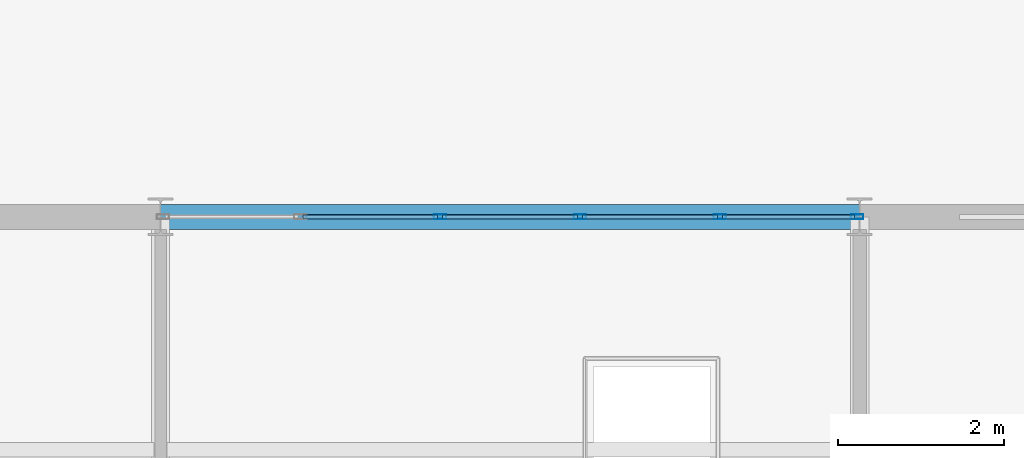
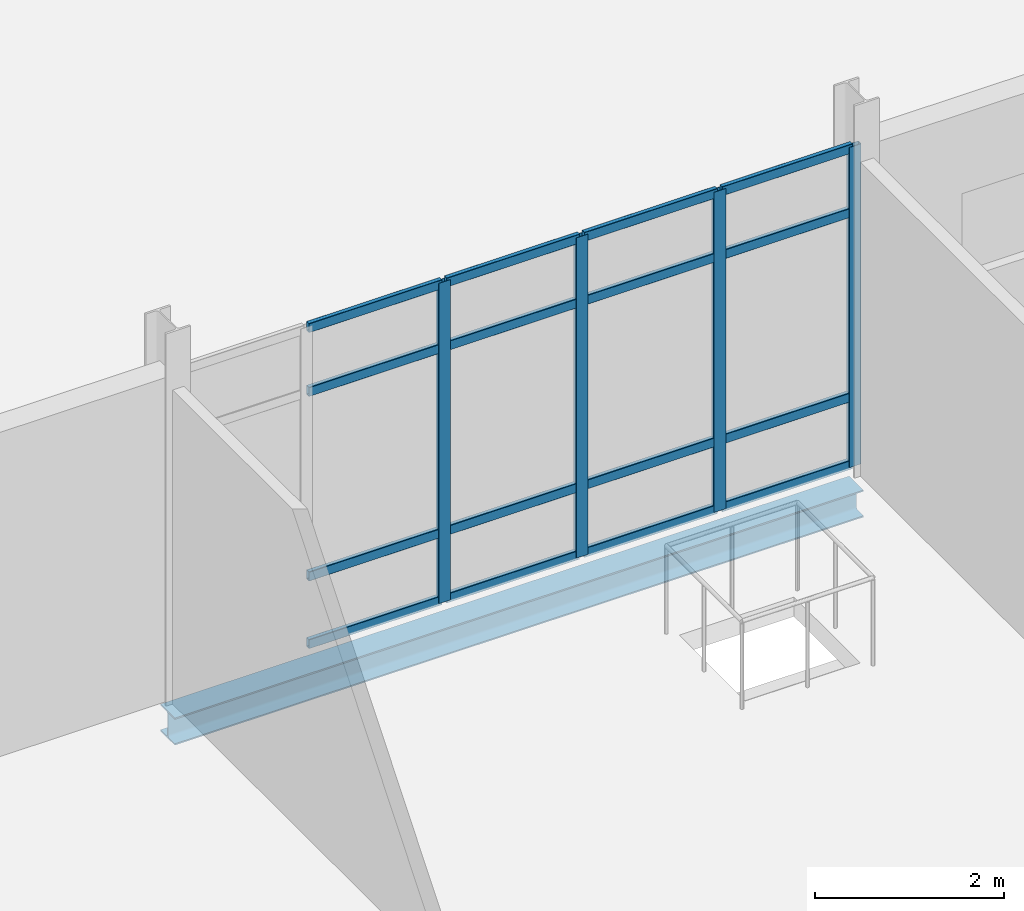
# One storey, part 99 of 145: 20 members, 1 beam, 1 element without a shape of its own.
"""IFC4 building model written with IfcOpenShell, lengths in metres."""

from ifc_helpers import new_model, si_unit, direction, frame, origin, origin_2d, place, context, subcontext, project, spatial, hollow_rectangle, i_section, extrude, material, layer, layer_set, material_profile, profile_set, type_object, element, aggregate, save


model = new_model("IFC4")

# Units and contexts
model_context = context("Model", 3, precision=1e-05, world=origin(), true_north=direction((0.0, 1.0)))
body_context = subcontext(model_context, "Body", "Model", "MODEL_VIEW")
ifc_project = project(units=[si_unit("LENGTHUNIT", "METRE"), si_unit("AREAUNIT", "SQUARE_METRE"), si_unit("VOLUMEUNIT", "CUBIC_METRE"), si_unit("PLANEANGLEUNIT", "RADIAN"), si_unit("MASSUNIT", "GRAM", prefix="KILO")], contexts=[model_context])

# Site, building, storey
site_placement = place(None, origin())
site = spatial("IfcSite", under=ifc_project, at=site_placement, CompositionType="ELEMENT")
building_placement = place(site_placement, origin())
building = spatial("IfcBuilding", under=site, at=building_placement, Name="Qalvenar Corner Mobility Hub", CompositionType="ELEMENT")
storey_placement = place(building_placement, origin())
storey = spatial("IfcBuildingStorey", under=building, at=storey_placement, Name="L00", CompositionType="ELEMENT", Elevation=0.0)

# Beam
ifc_material_1 = material(Name="Steel S355", Category="steel")
ifc_material_profile_1 = material_profile(ifc_material_1, i_section(OverallWidth=0.300048828125, OverallDepth=0.35009765625, WebThickness=0.010009765625, FlangeThickness=0.017578125, FilletRadius=0.027099609375, at=origin_2d()), Name="HEA360")
ifc_profile_set_1 = profile_set([ifc_material_profile_1], Name="Steel S355")
beam_type = type_object("IfcBeamType", Name="BM-SPN360", PredefinedType="SPANDREL", material=ifc_profile_set_1)
beam_placement = place(storey_placement, frame((126.0, 50.39990234375, -0.425048828125), z_axis=(1.0, 0.0, 0.0), x_axis=(0.0, 1.0, 0.0)))
element("IfcBeam", 1, at=beam_placement, inside=storey, type_object=beam_type, Name="Primary Steel Girder GX-0292", PredefinedType="SPANDREL", context=body_context, shape_type="SweptSolid", body=[
    extrude(i_section(OverallWidth=0.300048828125, OverallDepth=0.35009765625, WebThickness=0.010009765625, FlangeThickness=0.017578125, FilletRadius=0.027099609375, at=origin_2d()), origin(), (0.0, 0.0, 1.0), 8.39990234375),
])

# Curtain wall, members
ifc_material_2 = material(Name="Anodised Aluminium and Low-E Glazing", Category="aluminium")
ifc_layer = layer(ifc_material_2, 0.14990234375)
ifc_layer_set = layer_set([ifc_layer], Name="Anodised Aluminium and Low-E Glazing")
curtain_wall_type = type_object("IfcCurtainWallType", Name="CW-WKS-84X44", PredefinedType="NOTDEFINED", material=ifc_layer_set)
curtain_wall_placement = place(storey_placement, origin())
curtain_wall = element("IfcCurtainWall", 2, at=curtain_wall_placement, inside=storey, type_object=curtain_wall_type, Name="Glazed Curtain Wall CW-V6-L00-N2", PredefinedType="NOTDEFINED")
ifc_material_3 = material(Name="Anodised Aluminium 6063-T6", Category="aluminium")
ifc_material_profile_2 = material_profile(ifc_material_3, hollow_rectangle(XDim=0.06005859375, YDim=0.14990234375, WallThickness=0.00390625, InnerFilletRadius=0.00390625, OuterFilletRadius=0.008056640625, at=origin_2d()), Name="RHS150x60x4")
ifc_profile_set_2 = profile_set([ifc_material_profile_2], Name="Anodised Aluminium 6063-T6")
member_type_1 = type_object("IfcMemberType", Name="CW-MUL150", PredefinedType="MULLION", material=ifc_profile_set_2)
member_1_placement = place(storey_placement, frame((134.3701171875, 50.39990234375, 0.0), z_axis=(0.0, 0.0, 1.0), x_axis=(0.0, -1.0, 0.0)))
member_1 = element("IfcMember", 3, at=member_1_placement, type_object=member_type_1, Name="CW-09 mullion 1", PredefinedType="MULLION", context=body_context, shape_type="SweptSolid", body=[
    extrude(hollow_rectangle(XDim=0.06005859375, YDim=0.14990234375, WallThickness=0.00390625, InnerFilletRadius=0.00390625, OuterFilletRadius=0.008056640625, at=origin_2d()), origin(), (0.0, 0.0, 1.0), 4.1298828125),
])
member_2_placement = place(storey_placement, frame((132.719970703125, 50.39990234375, 0.0), z_axis=(0.0, 0.0, 1.0), x_axis=(0.0, -1.0, 0.0)))
member_2 = element("IfcMember", 4, at=member_2_placement, type_object=member_type_1, Name="CW-09 mullion 2", PredefinedType="MULLION", context=body_context, shape_type="SweptSolid", body=[
    extrude(hollow_rectangle(XDim=0.06005859375, YDim=0.14990234375, WallThickness=0.00390625, InnerFilletRadius=0.00390625, OuterFilletRadius=0.008056640625, at=origin_2d()), origin(), (0.0, 0.0, 1.0), 4.1298828125),
])
member_3_placement = place(storey_placement, frame((131.0400390625, 50.39990234375, 0.0), z_axis=(0.0, 0.0, 1.0), x_axis=(0.0, -1.0, 0.0)))
member_3 = element("IfcMember", 5, at=member_3_placement, type_object=member_type_1, Name="CW-09 mullion 3", PredefinedType="MULLION", context=body_context, shape_type="SweptSolid", body=[
    extrude(hollow_rectangle(XDim=0.06005859375, YDim=0.14990234375, WallThickness=0.00390625, InnerFilletRadius=0.00390625, OuterFilletRadius=0.008056640625, at=origin_2d()), origin(), (0.0, 0.0, 1.0), 4.1298828125),
])
member_4_placement = place(storey_placement, frame((129.360107421875, 50.39990234375, 0.0), z_axis=(0.0, 0.0, 1.0), x_axis=(0.0, -1.0, 0.0)))
member_4 = element("IfcMember", 6, at=member_4_placement, type_object=member_type_1, Name="CW-09 mullion 4", PredefinedType="MULLION", context=body_context, shape_type="SweptSolid", body=[
    extrude(hollow_rectangle(XDim=0.06005859375, YDim=0.14990234375, WallThickness=0.00390625, InnerFilletRadius=0.00390625, OuterFilletRadius=0.008056640625, at=origin_2d()), origin(), (0.0, 0.0, 1.0), 4.1298828125),
])
ifc_material_profile_3 = material_profile(ifc_material_3, hollow_rectangle(XDim=0.054931640625, YDim=0.1201171875, WallThickness=0.00341796875, InnerFilletRadius=0.00341796875, OuterFilletRadius=0.007080078125, at=origin_2d()), Name="RHS120x55x3.5")
ifc_profile_set_3 = profile_set([ifc_material_profile_3], Name="Anodised Aluminium 6063-T6")
member_type_2 = type_object("IfcMemberType", Name="CW-TRN120", PredefinedType="USERDEFINED", material=ifc_profile_set_3)
member_5_placement = place(storey_placement, frame((134.340087890625, 50.39990234375, 0.027587890625), z_axis=(-1.0, 0.0, 0.0), x_axis=(0.0, -1.0, 0.0)))
member_5 = element("IfcMember", 7, at=member_5_placement, type_object=member_type_2, Name="CW-09 transom 1.1", ObjectType="TRANSOM", PredefinedType="USERDEFINED", context=body_context, shape_type="SweptSolid", body=[
    extrude(hollow_rectangle(XDim=0.054931640625, YDim=0.1201171875, WallThickness=0.00341796875, InnerFilletRadius=0.00341796875, OuterFilletRadius=0.007080078125, at=origin_2d()), origin(), (0.0, 0.0, 1.0), 1.590087890625),
])
member_6_placement = place(storey_placement, frame((134.340087890625, 50.39990234375, 0.89990234375), z_axis=(-1.0, 0.0, 0.0), x_axis=(0.0, -1.0, 0.0)))
member_6 = element("IfcMember", 8, at=member_6_placement, type_object=member_type_2, Name="CW-09 transom 1.2", ObjectType="TRANSOM", PredefinedType="USERDEFINED", context=body_context, shape_type="SweptSolid", body=[
    extrude(hollow_rectangle(XDim=0.054931640625, YDim=0.1201171875, WallThickness=0.00341796875, InnerFilletRadius=0.00341796875, OuterFilletRadius=0.007080078125, at=origin_2d()), origin(), (0.0, 0.0, 1.0), 1.590087890625),
])
member_7_placement = place(storey_placement, frame((134.340087890625, 50.39990234375, 3.280029296875), z_axis=(-1.0, 0.0, 0.0), x_axis=(0.0, -1.0, 0.0)))
member_7 = element("IfcMember", 9, at=member_7_placement, type_object=member_type_2, Name="CW-09 transom 1.3", ObjectType="TRANSOM", PredefinedType="USERDEFINED", context=body_context, shape_type="SweptSolid", body=[
    extrude(hollow_rectangle(XDim=0.054931640625, YDim=0.1201171875, WallThickness=0.00341796875, InnerFilletRadius=0.00341796875, OuterFilletRadius=0.007080078125, at=origin_2d()), origin(), (0.0, 0.0, 1.0), 1.590087890625),
])
member_8_placement = place(storey_placement, frame((134.340087890625, 50.39990234375, 4.1025390625), z_axis=(-1.0, 0.0, 0.0), x_axis=(0.0, -1.0, 0.0)))
member_8 = element("IfcMember", 10, at=member_8_placement, type_object=member_type_2, Name="CW-09 transom 1.4", ObjectType="TRANSOM", PredefinedType="USERDEFINED", context=body_context, shape_type="SweptSolid", body=[
    extrude(hollow_rectangle(XDim=0.054931640625, YDim=0.1201171875, WallThickness=0.00341796875, InnerFilletRadius=0.00341796875, OuterFilletRadius=0.007080078125, at=origin_2d()), origin(), (0.0, 0.0, 1.0), 1.590087890625),
])
member_9_placement = place(storey_placement, frame((132.68994140625, 50.39990234375, 0.027587890625), z_axis=(-1.0, 0.0, 0.0), x_axis=(0.0, -1.0, 0.0)))
member_9 = element("IfcMember", 11, at=member_9_placement, type_object=member_type_2, Name="CW-09 transom 2.1", ObjectType="TRANSOM", PredefinedType="USERDEFINED", context=body_context, shape_type="SweptSolid", body=[
    extrude(hollow_rectangle(XDim=0.054931640625, YDim=0.1201171875, WallThickness=0.00341796875, InnerFilletRadius=0.00341796875, OuterFilletRadius=0.007080078125, at=origin_2d()), origin(), (0.0, 0.0, 1.0), 1.619873046875),
])
member_10_placement = place(storey_placement, frame((132.68994140625, 50.39990234375, 0.89990234375), z_axis=(-1.0, 0.0, 0.0), x_axis=(0.0, -1.0, 0.0)))
member_10 = element("IfcMember", 12, at=member_10_placement, type_object=member_type_2, Name="CW-09 transom 2.2", ObjectType="TRANSOM", PredefinedType="USERDEFINED", context=body_context, shape_type="SweptSolid", body=[
    extrude(hollow_rectangle(XDim=0.054931640625, YDim=0.1201171875, WallThickness=0.00341796875, InnerFilletRadius=0.00341796875, OuterFilletRadius=0.007080078125, at=origin_2d()), origin(), (0.0, 0.0, 1.0), 1.619873046875),
])
member_11_placement = place(storey_placement, frame((132.68994140625, 50.39990234375, 3.280029296875), z_axis=(-1.0, 0.0, 0.0), x_axis=(0.0, -1.0, 0.0)))
member_11 = element("IfcMember", 13, at=member_11_placement, type_object=member_type_2, Name="CW-09 transom 2.3", ObjectType="TRANSOM", PredefinedType="USERDEFINED", context=body_context, shape_type="SweptSolid", body=[
    extrude(hollow_rectangle(XDim=0.054931640625, YDim=0.1201171875, WallThickness=0.00341796875, InnerFilletRadius=0.00341796875, OuterFilletRadius=0.007080078125, at=origin_2d()), origin(), (0.0, 0.0, 1.0), 1.619873046875),
])
member_12_placement = place(storey_placement, frame((132.68994140625, 50.39990234375, 4.1025390625), z_axis=(-1.0, 0.0, 0.0), x_axis=(0.0, -1.0, 0.0)))
member_12 = element("IfcMember", 14, at=member_12_placement, type_object=member_type_2, Name="CW-09 transom 2.4", ObjectType="TRANSOM", PredefinedType="USERDEFINED", context=body_context, shape_type="SweptSolid", body=[
    extrude(hollow_rectangle(XDim=0.054931640625, YDim=0.1201171875, WallThickness=0.00341796875, InnerFilletRadius=0.00341796875, OuterFilletRadius=0.007080078125, at=origin_2d()), origin(), (0.0, 0.0, 1.0), 1.619873046875),
])
member_13_placement = place(storey_placement, frame((131.010009765625, 50.39990234375, 0.027587890625), z_axis=(-1.0, 0.0, 0.0), x_axis=(0.0, -1.0, 0.0)))
member_13 = element("IfcMember", 15, at=member_13_placement, type_object=member_type_2, Name="CW-09 transom 3.1", ObjectType="TRANSOM", PredefinedType="USERDEFINED", context=body_context, shape_type="SweptSolid", body=[
    extrude(hollow_rectangle(XDim=0.054931640625, YDim=0.1201171875, WallThickness=0.00341796875, InnerFilletRadius=0.00341796875, OuterFilletRadius=0.007080078125, at=origin_2d()), origin(), (0.0, 0.0, 1.0), 1.6201171875),
])
member_14_placement = place(storey_placement, frame((131.010009765625, 50.39990234375, 0.89990234375), z_axis=(-1.0, 0.0, 0.0), x_axis=(0.0, -1.0, 0.0)))
member_14 = element("IfcMember", 16, at=member_14_placement, type_object=member_type_2, Name="CW-09 transom 3.2", ObjectType="TRANSOM", PredefinedType="USERDEFINED", context=body_context, shape_type="SweptSolid", body=[
    extrude(hollow_rectangle(XDim=0.054931640625, YDim=0.1201171875, WallThickness=0.00341796875, InnerFilletRadius=0.00341796875, OuterFilletRadius=0.007080078125, at=origin_2d()), origin(), (0.0, 0.0, 1.0), 1.6201171875),
])
member_15_placement = place(storey_placement, frame((131.010009765625, 50.39990234375, 3.280029296875), z_axis=(-1.0, 0.0, 0.0), x_axis=(0.0, -1.0, 0.0)))
member_15 = element("IfcMember", 17, at=member_15_placement, type_object=member_type_2, Name="CW-09 transom 3.3", ObjectType="TRANSOM", PredefinedType="USERDEFINED", context=body_context, shape_type="SweptSolid", body=[
    extrude(hollow_rectangle(XDim=0.054931640625, YDim=0.1201171875, WallThickness=0.00341796875, InnerFilletRadius=0.00341796875, OuterFilletRadius=0.007080078125, at=origin_2d()), origin(), (0.0, 0.0, 1.0), 1.6201171875),
])
member_16_placement = place(storey_placement, frame((131.010009765625, 50.39990234375, 4.1025390625), z_axis=(-1.0, 0.0, 0.0), x_axis=(0.0, -1.0, 0.0)))
member_16 = element("IfcMember", 18, at=member_16_placement, type_object=member_type_2, Name="CW-09 transom 3.4", ObjectType="TRANSOM", PredefinedType="USERDEFINED", context=body_context, shape_type="SweptSolid", body=[
    extrude(hollow_rectangle(XDim=0.054931640625, YDim=0.1201171875, WallThickness=0.00341796875, InnerFilletRadius=0.00341796875, OuterFilletRadius=0.007080078125, at=origin_2d()), origin(), (0.0, 0.0, 1.0), 1.6201171875),
])
member_17_placement = place(storey_placement, frame((129.330078125, 50.39990234375, 0.027587890625), z_axis=(-1.0, 0.0, 0.0), x_axis=(0.0, -1.0, 0.0)))
member_17 = element("IfcMember", 19, at=member_17_placement, type_object=member_type_2, Name="CW-09 transom 4.1", ObjectType="TRANSOM", PredefinedType="USERDEFINED", context=body_context, shape_type="SweptSolid", body=[
    extrude(hollow_rectangle(XDim=0.054931640625, YDim=0.1201171875, WallThickness=0.00341796875, InnerFilletRadius=0.00341796875, OuterFilletRadius=0.007080078125, at=origin_2d()), origin(), (0.0, 0.0, 1.0), 1.6201171875),
])
member_18_placement = place(storey_placement, frame((129.330078125, 50.39990234375, 0.89990234375), z_axis=(-1.0, 0.0, 0.0), x_axis=(0.0, -1.0, 0.0)))
member_18 = element("IfcMember", 20, at=member_18_placement, type_object=member_type_2, Name="CW-09 transom 4.2", ObjectType="TRANSOM", PredefinedType="USERDEFINED", context=body_context, shape_type="SweptSolid", body=[
    extrude(hollow_rectangle(XDim=0.054931640625, YDim=0.1201171875, WallThickness=0.00341796875, InnerFilletRadius=0.00341796875, OuterFilletRadius=0.007080078125, at=origin_2d()), origin(), (0.0, 0.0, 1.0), 1.6201171875),
])
member_19_placement = place(storey_placement, frame((129.330078125, 50.39990234375, 3.280029296875), z_axis=(-1.0, 0.0, 0.0), x_axis=(0.0, -1.0, 0.0)))
member_19 = element("IfcMember", 21, at=member_19_placement, type_object=member_type_2, Name="CW-09 transom 4.3", ObjectType="TRANSOM", PredefinedType="USERDEFINED", context=body_context, shape_type="SweptSolid", body=[
    extrude(hollow_rectangle(XDim=0.054931640625, YDim=0.1201171875, WallThickness=0.00341796875, InnerFilletRadius=0.00341796875, OuterFilletRadius=0.007080078125, at=origin_2d()), origin(), (0.0, 0.0, 1.0), 1.6201171875),
])
member_20_placement = place(storey_placement, frame((129.330078125, 50.39990234375, 4.1025390625), z_axis=(-1.0, 0.0, 0.0), x_axis=(0.0, -1.0, 0.0)))
member_20 = element("IfcMember", 22, at=member_20_placement, type_object=member_type_2, Name="CW-09 transom 4.4", ObjectType="TRANSOM", PredefinedType="USERDEFINED", context=body_context, shape_type="SweptSolid", body=[
    extrude(hollow_rectangle(XDim=0.054931640625, YDim=0.1201171875, WallThickness=0.00341796875, InnerFilletRadius=0.00341796875, OuterFilletRadius=0.007080078125, at=origin_2d()), origin(), (0.0, 0.0, 1.0), 1.6201171875),
])
aggregate(curtain_wall, [member_1, member_2, member_3, member_4, member_5, member_6, member_7, member_8, member_9, member_10, member_11, member_12, member_13, member_14, member_15, member_16, member_17, member_18, member_19, member_20])

save(model, "model.ifc")
